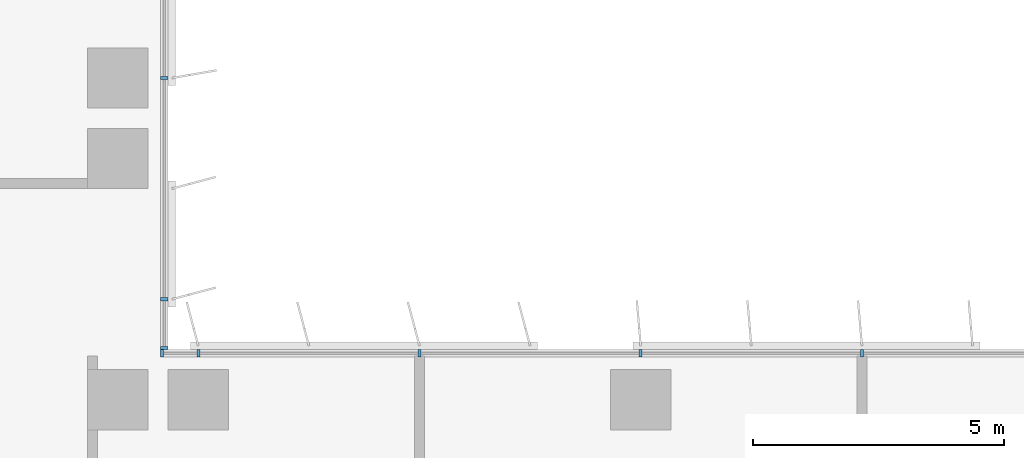
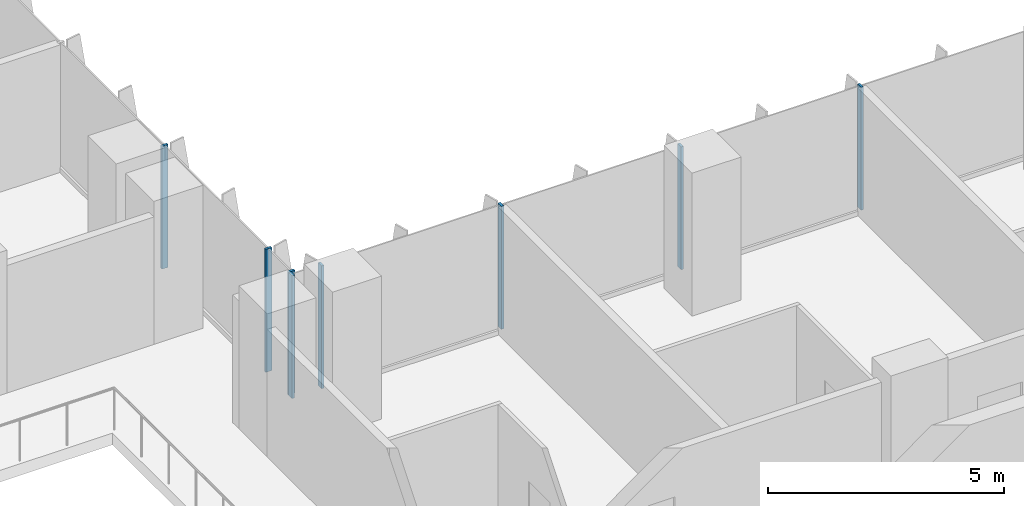
# One storey, part 2 of 22: 8 members, 2 elements without a shape of their own.
"""IFC4 building model written with IfcOpenShell, lengths in metres."""

from ifc_helpers import new_model, si_unit, direction, frame, origin, origin_2d, place, context, subcontext, project, spatial, rectangle, extrude, source, transform, mapped, material, material_profile, profile_set, type_object, element, aggregate, save


model = new_model("IFC4")

# Units and contexts
model_context = context("Model", 3, precision=1e-05, world=origin(), true_north=direction((0.0, 1.0)))
body_context = subcontext(model_context, "Body", "Model", "MODEL_VIEW")
ifc_project = project(units=[si_unit("LENGTHUNIT", "METRE"), si_unit("AREAUNIT", "SQUARE_METRE"), si_unit("VOLUMEUNIT", "CUBIC_METRE"), si_unit("PLANEANGLEUNIT", "RADIAN"), si_unit("MASSUNIT", "GRAM", prefix="KILO")], contexts=[model_context])

# Site, building, storey
site_placement = place(None, origin())
site = spatial("IfcSite", under=ifc_project, at=site_placement, CompositionType="ELEMENT")
building_placement = place(site_placement, origin())
building = spatial("IfcBuilding", under=site, at=building_placement, Name="Kemantara Hotel Tower", CompositionType="ELEMENT")
storey_placement = place(building_placement, frame((0.0, 0.0, 98.199951171875)))
storey = spatial("IfcBuildingStorey", under=building, at=storey_placement, Name="L23", CompositionType="ELEMENT", Elevation=98.199951171875)

# Curtain wall, members
ifc_material_1 = material(Name="Low-E tinted double insulated glass 36 mm", Category="glass")
curtain_wall_type = type_object("IfcCurtainWallType", Name="TOWER CURTAIN WALL, FRONT FACES", PredefinedType="USERDEFINED", material=ifc_material_1)
curtain_wall_1_placement = place(storey_placement, origin())
curtain_wall_1 = element("IfcCurtainWall", 1, at=curtain_wall_1_placement, inside=storey, type_object=curtain_wall_type, Name="CW4 L23 T2-R13-1", ObjectType="TOWER CURTAIN WALL, FRONT FACES", PredefinedType="USERDEFINED")
ifc_material_2 = material(Name="Aluminium 6063-T6 bronze anodised", Category="aluminium")
ifc_material_profile = material_profile(ifc_material_2, rectangle(XDim=0.14990234375, YDim=0.06005859375, at=origin_2d()), Name="TOWER CURTAIN WALL, FRONT FACES MULLION")
ifc_profile_set = profile_set([ifc_material_profile], Name="Aluminium 6063-T6 bronze anodised")
member_type = type_object("IfcMemberType", Name="TOWER CURTAIN WALL, FRONT FACES MULLION", PredefinedType="MULLION", material=ifc_profile_set)
shared_shape = source(origin(), body_context, "Body", "SweptSolid", [
    extrude(rectangle(XDim=0.14990234375, YDim=0.06005859375, at=origin_2d()), origin(), (0.0, 0.0, 1.0), 3.179931640625),
])
member_1_placement = place(storey_placement, frame((40.60009765625, 21.925048828125, 0.1201171875), z_axis=(0.0, 0.0, 1.0), x_axis=(0.0, -1.0, 0.0)))
member_1 = element("IfcMember", 2, at=member_1_placement, type_object=member_type, Name="CW4 mullion T2-R13-1.6", PredefinedType="MULLION", context=body_context, shape_type="MappedRepresentation", body=[
    mapped(shared_shape, transform((0.0, 0.0, 0.0))),
])
member_2_placement = place(storey_placement, frame((36.199951171875, 21.925048828125, 0.1201171875), z_axis=(0.0, 0.0, 1.0), x_axis=(0.0, -1.0, 0.0)))
member_2 = element("IfcMember", 3, at=member_2_placement, type_object=member_type, Name="CW4 mullion T2-R13-1.7", PredefinedType="MULLION", context=body_context, shape_type="MappedRepresentation", body=[
    mapped(shared_shape, transform((0.0, 0.0, 0.0))),
])
member_3_placement = place(storey_placement, frame((31.800048828125, 21.925048828125, 0.1201171875), z_axis=(0.0, 0.0, 1.0), x_axis=(0.0, -1.0, 0.0)))
member_3 = element("IfcMember", 4, at=member_3_placement, type_object=member_type, Name="CW4 mullion T2-R13-1.8", PredefinedType="MULLION", context=body_context, shape_type="MappedRepresentation", body=[
    mapped(shared_shape, transform((0.0, 0.0, 0.0))),
])
member_4_placement = place(storey_placement, frame((27.39990234375, 21.925048828125, 0.1201171875), z_axis=(0.0, 0.0, 1.0), x_axis=(0.0, -1.0, 0.0)))
member_4 = element("IfcMember", 5, at=member_4_placement, type_object=member_type, Name="CW4 mullion T2-R13-1.9", PredefinedType="MULLION", context=body_context, shape_type="MappedRepresentation", body=[
    mapped(shared_shape, transform((0.0, 0.0, 0.0))),
])
member_5_placement = place(storey_placement, frame((26.679931640625, 21.925048828125, 0.1201171875), z_axis=(0.0, 0.0, 1.0), x_axis=(0.0, -1.0, 0.0)))
member_5 = element("IfcMember", 6, at=member_5_placement, type_object=member_type, Name="CW4 mullion T2-R13-1.10", PredefinedType="MULLION", context=body_context, shape_type="MappedRepresentation", body=[
    mapped(shared_shape, transform((0.0, 0.0, 0.0))),
])
aggregate(curtain_wall_1, [member_1, member_2, member_3, member_4, member_5])

curtain_wall_2_placement = place(storey_placement, origin())
curtain_wall_2 = element("IfcCurtainWall", 7, at=curtain_wall_2_placement, inside=storey, type_object=curtain_wall_type, Name="CW4 L23 T2-R14-1", ObjectType="TOWER CURTAIN WALL, FRONT FACES", PredefinedType="USERDEFINED")
member_6_placement = place(storey_placement, frame((26.72509765625, 22.030029296875, 0.1201171875), z_axis=(0.0, 0.0, 1.0), x_axis=(-1.0, 0.0, 0.0)))
member_6 = element("IfcMember", 8, at=member_6_placement, type_object=member_type, Name="CW4 mullion T2-R14-1.1", PredefinedType="MULLION", context=body_context, shape_type="MappedRepresentation", body=[
    mapped(shared_shape, transform((0.0, 0.0, 0.0))),
])
member_7_placement = place(storey_placement, frame((26.72509765625, 23.0, 0.1201171875), z_axis=(0.0, 0.0, 1.0), x_axis=(-1.0, 0.0, 0.0)))
member_7 = element("IfcMember", 9, at=member_7_placement, type_object=member_type, Name="CW4 mullion T2-R14-1.2", PredefinedType="MULLION", context=body_context, shape_type="MappedRepresentation", body=[
    mapped(shared_shape, transform((0.0, 0.0, 0.0))),
])
member_8_placement = place(storey_placement, frame((26.72509765625, 27.39990234375, 0.1201171875), z_axis=(0.0, 0.0, 1.0), x_axis=(-1.0, 0.0, 0.0)))
member_8 = element("IfcMember", 10, at=member_8_placement, type_object=member_type, Name="CW4 mullion T2-R14-1.3", PredefinedType="MULLION", context=body_context, shape_type="MappedRepresentation", body=[
    mapped(shared_shape, transform((0.0, 0.0, 0.0))),
])
aggregate(curtain_wall_2, [member_6, member_7, member_8])

save(model, "model.ifc")
